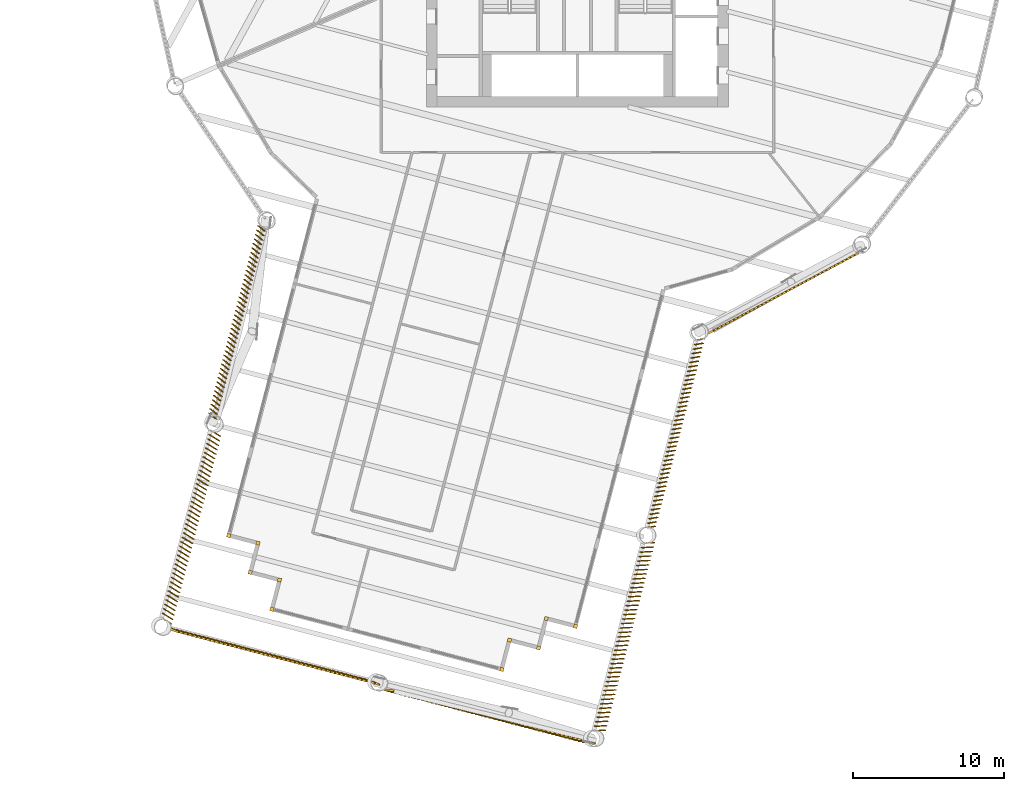
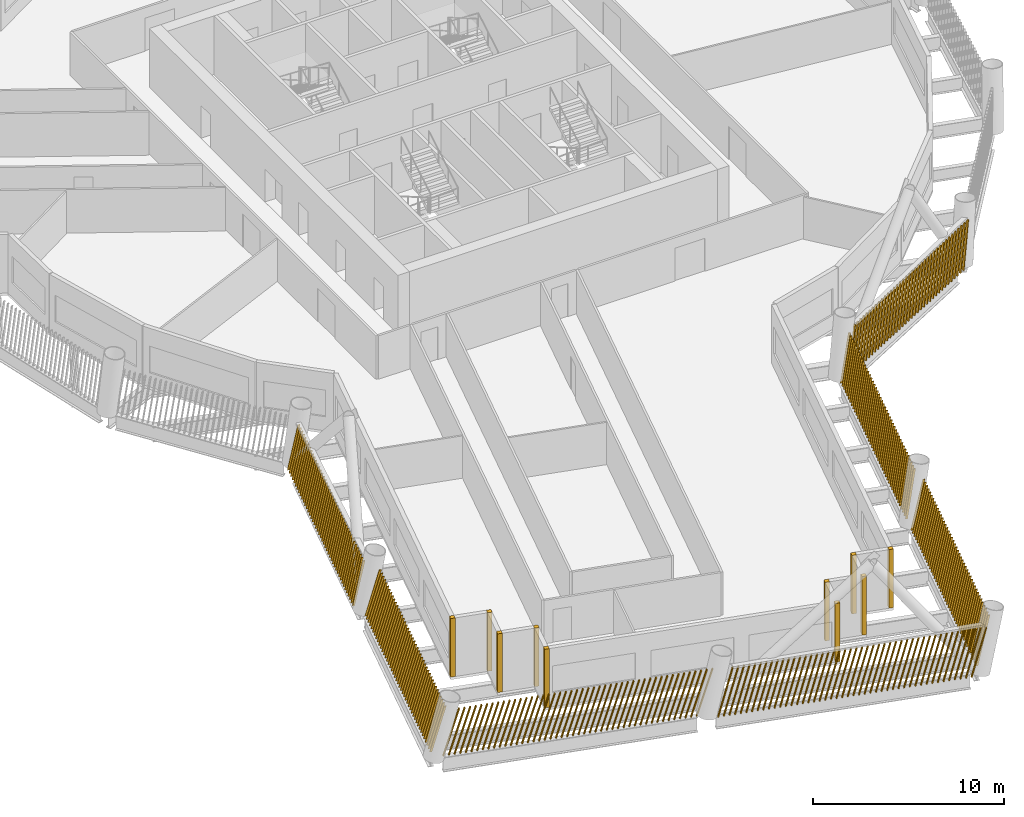
# One storey, part 20 of 24: 17 shading devices.
"""IFC4 building model written with IfcOpenShell, lengths in metres."""

from ifc_helpers import new_model, si_unit, direction, frame, frame_2d, origin, origin_2d, place, context, subcontext, project, spatial, rectangle, composite_profile, extrude, material, type_object, element, save


model = new_model("IFC4")

# Units and contexts
model_context = context("Model", 3, precision=1e-05, world=origin(), true_north=direction((0.0, 1.0)))
body_context = subcontext(model_context, "Body", "Model", "MODEL_VIEW")
ifc_project = project(units=[si_unit("LENGTHUNIT", "METRE"), si_unit("AREAUNIT", "SQUARE_METRE"), si_unit("VOLUMEUNIT", "CUBIC_METRE"), si_unit("PLANEANGLEUNIT", "RADIAN"), si_unit("MASSUNIT", "GRAM", prefix="KILO")], contexts=[model_context])

# Site, building, storey
site_placement = place(None, origin())
site = spatial("IfcSite", under=ifc_project, at=site_placement, CompositionType="ELEMENT")
building_placement = place(site_placement, origin())
building = spatial("IfcBuilding", under=site, at=building_placement, Name="Tarsis Ring Headquarters", CompositionType="ELEMENT")
storey_placement = place(building_placement, frame((0.0, 0.0, 163.199951171875)))
storey = spatial("IfcBuildingStorey", under=building, at=storey_placement, Name="L37", CompositionType="ELEMENT", Elevation=163.199951171875)

# Shading devices
ifc_material = material(Name="Terracotta baguette", Category="masonry")
shading_device_type_1 = type_object("IfcShadingDeviceType", Name="Terracotta baguette screen", PredefinedType="USERDEFINED", material=ifc_material)
shading_device_1_placement = place(storey_placement, frame((-21.133544921875, -20.824951171875, 0.0), z_axis=(0.0, 0.0, 1.0), x_axis=(-0.253070183738, -0.967453213995, 0.0)))
element("IfcShadingDevice", 1, at=shading_device_1_placement, inside=storey, type_object=shading_device_type_1, Name="Baguette screen L37-01", ObjectType="Terracotta baguette screen", PredefinedType="USERDEFINED", context=body_context, shape_type="SweptSolid", body=[
    extrude(composite_profile([rectangle(XDim=0.06005859375, YDim=0.1201171875, at=frame_2d((0.030029296875, 0.0))), rectangle(XDim=0.06005859375, YDim=0.1201171875, at=frame_2d((0.335693359375, 0.0))), rectangle(XDim=0.06005859375, YDim=0.1201171875, at=frame_2d((0.6416015625, 0.0))), rectangle(XDim=0.06005859375, YDim=0.1201171875, at=frame_2d((0.947265625, 0.0))), rectangle(XDim=0.06005859375, YDim=0.1201171875, at=frame_2d((1.253173828125, 0.0))), rectangle(XDim=0.06005859375, YDim=0.1201171875, at=frame_2d((1.558837890625, 0.0))), rectangle(XDim=0.06005859375, YDim=0.1201171875, at=frame_2d((1.864501953125, 0.0))), rectangle(XDim=0.06005859375, YDim=0.1201171875, at=frame_2d((2.17041015625, 0.0))), rectangle(XDim=0.06005859375, YDim=0.1201171875, at=frame_2d((2.47607421875, 0.0))), rectangle(XDim=0.06005859375, YDim=0.1201171875, at=frame_2d((2.781982421875, 0.0))), rectangle(XDim=0.06005859375, YDim=0.1201171875, at=frame_2d((3.087646484375, 0.0))), rectangle(XDim=0.06005859375, YDim=0.1201171875, at=frame_2d((3.393310546875, 0.0))), rectangle(XDim=0.06005859375, YDim=0.1201171875, at=frame_2d((3.69921875, 0.0))), rectangle(XDim=0.06005859375, YDim=0.1201171875, at=frame_2d((4.0048828125, 0.0))), rectangle(XDim=0.06005859375, YDim=0.1201171875, at=frame_2d((4.310791015625, 0.0))), rectangle(XDim=0.06005859375, YDim=0.1201171875, at=frame_2d((4.616455078125, 0.0))), rectangle(XDim=0.06005859375, YDim=0.1201171875, at=frame_2d((4.922119140625, 0.0))), rectangle(XDim=0.06005859375, YDim=0.1201171875, at=frame_2d((5.22802734375, 0.0))), rectangle(XDim=0.06005859375, YDim=0.1201171875, at=frame_2d((5.53369140625, 0.0))), rectangle(XDim=0.06005859375, YDim=0.1201171875, at=frame_2d((5.839599609375, 0.0))), rectangle(XDim=0.06005859375, YDim=0.1201171875, at=frame_2d((6.145263671875, 0.0))), rectangle(XDim=0.06005859375, YDim=0.1201171875, at=frame_2d((6.451171875, 0.0))), rectangle(XDim=0.06005859375, YDim=0.1201171875, at=frame_2d((6.7568359375, 0.0))), rectangle(XDim=0.06005859375, YDim=0.1201171875, at=frame_2d((7.0625, 0.0))), rectangle(XDim=0.06005859375, YDim=0.1201171875, at=frame_2d((7.368408203125, 0.0))), rectangle(XDim=0.06005859375, YDim=0.1201171875, at=frame_2d((7.674072265625, 0.0))), rectangle(XDim=0.06005859375, YDim=0.1201171875, at=frame_2d((7.97998046875, 0.0))), rectangle(XDim=0.06005859375, YDim=0.1201171875, at=frame_2d((8.28564453125, 0.0))), rectangle(XDim=0.06005859375, YDim=0.1201171875, at=frame_2d((8.59130859375, 0.0))), rectangle(XDim=0.06005859375, YDim=0.1201171875, at=frame_2d((8.897216796875, 0.0))), rectangle(XDim=0.06005859375, YDim=0.1201171875, at=frame_2d((9.202880859375, 0.0))), rectangle(XDim=0.06005859375, YDim=0.1201171875, at=frame_2d((9.5087890625, 0.0))), rectangle(XDim=0.06005859375, YDim=0.1201171875, at=frame_2d((9.814453125, 0.0))), rectangle(XDim=0.06005859375, YDim=0.1201171875, at=frame_2d((10.1201171875, 0.0))), rectangle(XDim=0.06005859375, YDim=0.1201171875, at=frame_2d((10.426025390625, 0.0))), rectangle(XDim=0.06005859375, YDim=0.1201171875, at=frame_2d((10.731689453125, 0.0))), rectangle(XDim=0.06005859375, YDim=0.1201171875, at=frame_2d((11.03759765625, 0.0))), rectangle(XDim=0.06005859375, YDim=0.1201171875, at=frame_2d((11.34326171875, 0.0))), rectangle(XDim=0.06005859375, YDim=0.1201171875, at=frame_2d((11.64892578125, 0.0))), rectangle(XDim=0.06005859375, YDim=0.1201171875, at=frame_2d((11.954833984375, 0.0))), rectangle(XDim=0.06005859375, YDim=0.1201171875, at=frame_2d((12.260498046875, 0.0))), rectangle(XDim=0.06005859375, YDim=0.1201171875, at=frame_2d((12.56640625, 0.0))), rectangle(XDim=0.06005859375, YDim=0.1201171875, at=frame_2d((12.8720703125, 0.0)))]), origin(), (0.078095026611, 0.167788049002, 0.982724955128), 3.001708984375),
])
shading_device_2_placement = place(storey_placement, frame((-24.2890625, -34.36962890625, 0.0), z_axis=(0.0, 0.0, 1.0), x_axis=(-0.253084317287, -0.96743490766, 0.0)))
element("IfcShadingDevice", 2, at=shading_device_2_placement, inside=storey, type_object=shading_device_type_1, Name="Baguette screen L37-02", ObjectType="Terracotta baguette screen", PredefinedType="USERDEFINED", context=body_context, shape_type="SweptSolid", body=[
    extrude(composite_profile([rectangle(XDim=0.06005859375, YDim=0.1201171875, at=frame_2d((0.030029296875, 0.0))), rectangle(XDim=0.06005859375, YDim=0.1201171875, at=frame_2d((0.335693359375, 0.0))), rectangle(XDim=0.06005859375, YDim=0.1201171875, at=frame_2d((0.6416015625, 0.0))), rectangle(XDim=0.06005859375, YDim=0.1201171875, at=frame_2d((0.947265625, 0.0))), rectangle(XDim=0.06005859375, YDim=0.1201171875, at=frame_2d((1.253173828125, 0.0))), rectangle(XDim=0.06005859375, YDim=0.1201171875, at=frame_2d((1.558837890625, 0.0))), rectangle(XDim=0.06005859375, YDim=0.1201171875, at=frame_2d((1.864501953125, 0.0))), rectangle(XDim=0.06005859375, YDim=0.1201171875, at=frame_2d((2.17041015625, 0.0))), rectangle(XDim=0.06005859375, YDim=0.1201171875, at=frame_2d((2.47607421875, 0.0))), rectangle(XDim=0.06005859375, YDim=0.1201171875, at=frame_2d((2.781982421875, 0.0))), rectangle(XDim=0.06005859375, YDim=0.1201171875, at=frame_2d((3.087646484375, 0.0))), rectangle(XDim=0.06005859375, YDim=0.1201171875, at=frame_2d((3.393310546875, 0.0))), rectangle(XDim=0.06005859375, YDim=0.1201171875, at=frame_2d((3.69921875, 0.0))), rectangle(XDim=0.06005859375, YDim=0.1201171875, at=frame_2d((4.0048828125, 0.0))), rectangle(XDim=0.06005859375, YDim=0.1201171875, at=frame_2d((4.310791015625, 0.0))), rectangle(XDim=0.06005859375, YDim=0.1201171875, at=frame_2d((4.616455078125, 0.0))), rectangle(XDim=0.06005859375, YDim=0.1201171875, at=frame_2d((4.922119140625, 0.0))), rectangle(XDim=0.06005859375, YDim=0.1201171875, at=frame_2d((5.22802734375, 0.0))), rectangle(XDim=0.06005859375, YDim=0.1201171875, at=frame_2d((5.53369140625, 0.0))), rectangle(XDim=0.06005859375, YDim=0.1201171875, at=frame_2d((5.839599609375, 0.0))), rectangle(XDim=0.06005859375, YDim=0.1201171875, at=frame_2d((6.145263671875, 0.0))), rectangle(XDim=0.06005859375, YDim=0.1201171875, at=frame_2d((6.451171875, 0.0))), rectangle(XDim=0.06005859375, YDim=0.1201171875, at=frame_2d((6.7568359375, 0.0))), rectangle(XDim=0.06005859375, YDim=0.1201171875, at=frame_2d((7.0625, 0.0))), rectangle(XDim=0.06005859375, YDim=0.1201171875, at=frame_2d((7.368408203125, 0.0))), rectangle(XDim=0.06005859375, YDim=0.1201171875, at=frame_2d((7.674072265625, 0.0))), rectangle(XDim=0.06005859375, YDim=0.1201171875, at=frame_2d((7.97998046875, 0.0))), rectangle(XDim=0.06005859375, YDim=0.1201171875, at=frame_2d((8.28564453125, 0.0))), rectangle(XDim=0.06005859375, YDim=0.1201171875, at=frame_2d((8.59130859375, 0.0))), rectangle(XDim=0.06005859375, YDim=0.1201171875, at=frame_2d((8.897216796875, 0.0))), rectangle(XDim=0.06005859375, YDim=0.1201171875, at=frame_2d((9.202880859375, 0.0))), rectangle(XDim=0.06005859375, YDim=0.1201171875, at=frame_2d((9.5087890625, 0.0))), rectangle(XDim=0.06005859375, YDim=0.1201171875, at=frame_2d((9.814453125, 0.0))), rectangle(XDim=0.06005859375, YDim=0.1201171875, at=frame_2d((10.1201171875, 0.0))), rectangle(XDim=0.06005859375, YDim=0.1201171875, at=frame_2d((10.426025390625, 0.0))), rectangle(XDim=0.06005859375, YDim=0.1201171875, at=frame_2d((10.731689453125, 0.0))), rectangle(XDim=0.06005859375, YDim=0.1201171875, at=frame_2d((11.03759765625, 0.0))), rectangle(XDim=0.06005859375, YDim=0.1201171875, at=frame_2d((11.34326171875, 0.0))), rectangle(XDim=0.06005859375, YDim=0.1201171875, at=frame_2d((11.64892578125, 0.0))), rectangle(XDim=0.06005859375, YDim=0.1201171875, at=frame_2d((11.954833984375, 0.0))), rectangle(XDim=0.06005859375, YDim=0.1201171875, at=frame_2d((12.260498046875, 0.0))), rectangle(XDim=0.06005859375, YDim=0.1201171875, at=frame_2d((12.56640625, 0.0))), rectangle(XDim=0.06005859375, YDim=0.1201171875, at=frame_2d((12.8720703125, 0.0)))]), origin(), (0.074473497325, 0.237067585386, 0.968634429574), 3.04541015625),
])
shading_device_3_placement = place(storey_placement, frame((-27.197265625, -47.4619140625, 0.0), z_axis=(0.0, 0.0, 1.0), x_axis=(0.967448031844, -0.25309155241, 0.0)))
element("IfcShadingDevice", 3, at=shading_device_3_placement, inside=storey, type_object=shading_device_type_1, Name="Baguette screen L37-03", ObjectType="Terracotta baguette screen", PredefinedType="USERDEFINED", context=body_context, shape_type="SweptSolid", body=[
    extrude(composite_profile([rectangle(XDim=0.06005859375, YDim=0.1201171875, at=frame_2d((0.030029296875, 0.0))), rectangle(XDim=0.06005859375, YDim=0.1201171875, at=frame_2d((0.33544921875, 0.0))), rectangle(XDim=0.06005859375, YDim=0.1201171875, at=frame_2d((0.640625, 0.0))), rectangle(XDim=0.06005859375, YDim=0.1201171875, at=frame_2d((0.946044921875, 0.0))), rectangle(XDim=0.06005859375, YDim=0.1201171875, at=frame_2d((1.25146484375, 0.0))), rectangle(XDim=0.06005859375, YDim=0.1201171875, at=frame_2d((1.556640625, 0.0))), rectangle(XDim=0.06005859375, YDim=0.1201171875, at=frame_2d((1.862060546875, 0.0))), rectangle(XDim=0.06005859375, YDim=0.1201171875, at=frame_2d((2.16748046875, 0.0))), rectangle(XDim=0.06005859375, YDim=0.1201171875, at=frame_2d((2.47265625, 0.0))), rectangle(XDim=0.06005859375, YDim=0.1201171875, at=frame_2d((2.778076171875, 0.0))), rectangle(XDim=0.06005859375, YDim=0.1201171875, at=frame_2d((3.08349609375, 0.0))), rectangle(XDim=0.06005859375, YDim=0.1201171875, at=frame_2d((3.388671875, 0.0))), rectangle(XDim=0.06005859375, YDim=0.1201171875, at=frame_2d((3.694091796875, 0.0))), rectangle(XDim=0.06005859375, YDim=0.1201171875, at=frame_2d((3.99951171875, 0.0))), rectangle(XDim=0.06005859375, YDim=0.1201171875, at=frame_2d((4.3046875, 0.0))), rectangle(XDim=0.06005859375, YDim=0.1201171875, at=frame_2d((4.610107421875, 0.0))), rectangle(XDim=0.06005859375, YDim=0.1201171875, at=frame_2d((4.91552734375, 0.0))), rectangle(XDim=0.06005859375, YDim=0.1201171875, at=frame_2d((5.220703125, 0.0))), rectangle(XDim=0.06005859375, YDim=0.1201171875, at=frame_2d((5.526123046875, 0.0))), rectangle(XDim=0.06005859375, YDim=0.1201171875, at=frame_2d((5.83154296875, 0.0))), rectangle(XDim=0.06005859375, YDim=0.1201171875, at=frame_2d((6.13671875, 0.0))), rectangle(XDim=0.06005859375, YDim=0.1201171875, at=frame_2d((6.442138671875, 0.0))), rectangle(XDim=0.06005859375, YDim=0.1201171875, at=frame_2d((6.74755859375, 0.0))), rectangle(XDim=0.06005859375, YDim=0.1201171875, at=frame_2d((7.052734375, 0.0))), rectangle(XDim=0.06005859375, YDim=0.1201171875, at=frame_2d((7.358154296875, 0.0))), rectangle(XDim=0.06005859375, YDim=0.1201171875, at=frame_2d((7.66357421875, 0.0))), rectangle(XDim=0.06005859375, YDim=0.1201171875, at=frame_2d((7.96875, 0.0))), rectangle(XDim=0.06005859375, YDim=0.1201171875, at=frame_2d((8.274169921875, 0.0))), rectangle(XDim=0.06005859375, YDim=0.1201171875, at=frame_2d((8.57958984375, 0.0))), rectangle(XDim=0.06005859375, YDim=0.1201171875, at=frame_2d((8.884765625, 0.0))), rectangle(XDim=0.06005859375, YDim=0.1201171875, at=frame_2d((9.190185546875, 0.0))), rectangle(XDim=0.06005859375, YDim=0.1201171875, at=frame_2d((9.49560546875, 0.0))), rectangle(XDim=0.06005859375, YDim=0.1201171875, at=frame_2d((9.80078125, 0.0))), rectangle(XDim=0.06005859375, YDim=0.1201171875, at=frame_2d((10.106201171875, 0.0))), rectangle(XDim=0.06005859375, YDim=0.1201171875, at=frame_2d((10.41162109375, 0.0))), rectangle(XDim=0.06005859375, YDim=0.1201171875, at=frame_2d((10.716796875, 0.0))), rectangle(XDim=0.06005859375, YDim=0.1201171875, at=frame_2d((11.022216796875, 0.0))), rectangle(XDim=0.06005859375, YDim=0.1201171875, at=frame_2d((11.32763671875, 0.0))), rectangle(XDim=0.06005859375, YDim=0.1201171875, at=frame_2d((11.6328125, 0.0))), rectangle(XDim=0.06005859375, YDim=0.1201171875, at=frame_2d((11.938232421875, 0.0))), rectangle(XDim=0.06005859375, YDim=0.1201171875, at=frame_2d((12.24365234375, 0.0))), rectangle(XDim=0.06005859375, YDim=0.1201171875, at=frame_2d((12.548828125, 0.0))), rectangle(XDim=0.06005859375, YDim=0.1201171875, at=frame_2d((12.854248046875, 0.0))), rectangle(XDim=0.06005859375, YDim=0.1201171875, at=frame_2d((13.15966796875, 0.0))), rectangle(XDim=0.06005859375, YDim=0.1201171875, at=frame_2d((13.46484375, 0.0))), rectangle(XDim=0.06005859375, YDim=0.1201171875, at=frame_2d((13.770263671875, 0.0)))]), origin(), (0.270750594907, -0.035777965832, 0.961984434655), 3.06640625),
])
shading_device_4_placement = place(storey_placement, frame((-12.973876953125, -51.5703125, 0.0), z_axis=(0.0, 0.0, 1.0), x_axis=(0.967447455948, -0.253096030005, 0.0)))
element("IfcShadingDevice", 4, at=shading_device_4_placement, inside=storey, type_object=shading_device_type_1, Name="Baguette screen L37-04", ObjectType="Terracotta baguette screen", PredefinedType="USERDEFINED", context=body_context, shape_type="SweptSolid", body=[
    extrude(composite_profile([rectangle(XDim=0.06005859375, YDim=0.1201171875, at=frame_2d((0.030029296875, 0.0))), rectangle(XDim=0.06005859375, YDim=0.1201171875, at=frame_2d((0.33544921875, 0.0))), rectangle(XDim=0.06005859375, YDim=0.1201171875, at=frame_2d((0.640625, 0.0))), rectangle(XDim=0.06005859375, YDim=0.1201171875, at=frame_2d((0.946044921875, 0.0))), rectangle(XDim=0.06005859375, YDim=0.1201171875, at=frame_2d((1.25146484375, 0.0))), rectangle(XDim=0.06005859375, YDim=0.1201171875, at=frame_2d((1.556640625, 0.0))), rectangle(XDim=0.06005859375, YDim=0.1201171875, at=frame_2d((1.862060546875, 0.0))), rectangle(XDim=0.06005859375, YDim=0.1201171875, at=frame_2d((2.16748046875, 0.0))), rectangle(XDim=0.06005859375, YDim=0.1201171875, at=frame_2d((2.47265625, 0.0))), rectangle(XDim=0.06005859375, YDim=0.1201171875, at=frame_2d((2.778076171875, 0.0))), rectangle(XDim=0.06005859375, YDim=0.1201171875, at=frame_2d((3.08349609375, 0.0))), rectangle(XDim=0.06005859375, YDim=0.1201171875, at=frame_2d((3.388671875, 0.0))), rectangle(XDim=0.06005859375, YDim=0.1201171875, at=frame_2d((3.694091796875, 0.0))), rectangle(XDim=0.06005859375, YDim=0.1201171875, at=frame_2d((3.99951171875, 0.0))), rectangle(XDim=0.06005859375, YDim=0.1201171875, at=frame_2d((4.3046875, 0.0))), rectangle(XDim=0.06005859375, YDim=0.1201171875, at=frame_2d((4.610107421875, 0.0))), rectangle(XDim=0.06005859375, YDim=0.1201171875, at=frame_2d((4.91552734375, 0.0))), rectangle(XDim=0.06005859375, YDim=0.1201171875, at=frame_2d((5.220703125, 0.0))), rectangle(XDim=0.06005859375, YDim=0.1201171875, at=frame_2d((5.526123046875, 0.0))), rectangle(XDim=0.06005859375, YDim=0.1201171875, at=frame_2d((5.83154296875, 0.0))), rectangle(XDim=0.06005859375, YDim=0.1201171875, at=frame_2d((6.13671875, 0.0))), rectangle(XDim=0.06005859375, YDim=0.1201171875, at=frame_2d((6.442138671875, 0.0))), rectangle(XDim=0.06005859375, YDim=0.1201171875, at=frame_2d((6.74755859375, 0.0))), rectangle(XDim=0.06005859375, YDim=0.1201171875, at=frame_2d((7.052734375, 0.0))), rectangle(XDim=0.06005859375, YDim=0.1201171875, at=frame_2d((7.358154296875, 0.0))), rectangle(XDim=0.06005859375, YDim=0.1201171875, at=frame_2d((7.66357421875, 0.0))), rectangle(XDim=0.06005859375, YDim=0.1201171875, at=frame_2d((7.96875, 0.0))), rectangle(XDim=0.06005859375, YDim=0.1201171875, at=frame_2d((8.274169921875, 0.0))), rectangle(XDim=0.06005859375, YDim=0.1201171875, at=frame_2d((8.57958984375, 0.0))), rectangle(XDim=0.06005859375, YDim=0.1201171875, at=frame_2d((8.884765625, 0.0))), rectangle(XDim=0.06005859375, YDim=0.1201171875, at=frame_2d((9.190185546875, 0.0))), rectangle(XDim=0.06005859375, YDim=0.1201171875, at=frame_2d((9.49560546875, 0.0))), rectangle(XDim=0.06005859375, YDim=0.1201171875, at=frame_2d((9.80078125, 0.0))), rectangle(XDim=0.06005859375, YDim=0.1201171875, at=frame_2d((10.106201171875, 0.0))), rectangle(XDim=0.06005859375, YDim=0.1201171875, at=frame_2d((10.41162109375, 0.0))), rectangle(XDim=0.06005859375, YDim=0.1201171875, at=frame_2d((10.716796875, 0.0))), rectangle(XDim=0.06005859375, YDim=0.1201171875, at=frame_2d((11.022216796875, 0.0))), rectangle(XDim=0.06005859375, YDim=0.1201171875, at=frame_2d((11.32763671875, 0.0))), rectangle(XDim=0.06005859375, YDim=0.1201171875, at=frame_2d((11.6328125, 0.0))), rectangle(XDim=0.06005859375, YDim=0.1201171875, at=frame_2d((11.938232421875, 0.0))), rectangle(XDim=0.06005859375, YDim=0.1201171875, at=frame_2d((12.24365234375, 0.0))), rectangle(XDim=0.06005859375, YDim=0.1201171875, at=frame_2d((12.548828125, 0.0))), rectangle(XDim=0.06005859375, YDim=0.1201171875, at=frame_2d((12.854248046875, 0.0))), rectangle(XDim=0.06005859375, YDim=0.1201171875, at=frame_2d((13.15966796875, 0.0))), rectangle(XDim=0.06005859375, YDim=0.1201171875, at=frame_2d((13.46484375, 0.0))), rectangle(XDim=0.06005859375, YDim=0.1201171875, at=frame_2d((13.770263671875, 0.0)))]), origin(), (0.27193382144, 0.040026192208, 0.961483177541), 3.068115234375),
])
shading_device_5_placement = place(storey_placement, frame((1.08203125, -54.343017578125, 0.0), z_axis=(0.0, 0.0, 1.0), x_axis=(0.253084317287, 0.96743490766, 0.0)))
element("IfcShadingDevice", 5, at=shading_device_5_placement, inside=storey, type_object=shading_device_type_1, Name="Baguette screen L37-05", ObjectType="Terracotta baguette screen", PredefinedType="USERDEFINED", context=body_context, shape_type="SweptSolid", body=[
    extrude(composite_profile([rectangle(XDim=0.06005859375, YDim=0.1201171875, at=frame_2d((0.030029296875, 0.0))), rectangle(XDim=0.06005859375, YDim=0.1201171875, at=frame_2d((0.335693359375, 0.0))), rectangle(XDim=0.06005859375, YDim=0.1201171875, at=frame_2d((0.6416015625, 0.0))), rectangle(XDim=0.06005859375, YDim=0.1201171875, at=frame_2d((0.947265625, 0.0))), rectangle(XDim=0.06005859375, YDim=0.1201171875, at=frame_2d((1.253173828125, 0.0))), rectangle(XDim=0.06005859375, YDim=0.1201171875, at=frame_2d((1.558837890625, 0.0))), rectangle(XDim=0.06005859375, YDim=0.1201171875, at=frame_2d((1.864501953125, 0.0))), rectangle(XDim=0.06005859375, YDim=0.1201171875, at=frame_2d((2.17041015625, 0.0))), rectangle(XDim=0.06005859375, YDim=0.1201171875, at=frame_2d((2.47607421875, 0.0))), rectangle(XDim=0.06005859375, YDim=0.1201171875, at=frame_2d((2.781982421875, 0.0))), rectangle(XDim=0.06005859375, YDim=0.1201171875, at=frame_2d((3.087646484375, 0.0))), rectangle(XDim=0.06005859375, YDim=0.1201171875, at=frame_2d((3.393310546875, 0.0))), rectangle(XDim=0.06005859375, YDim=0.1201171875, at=frame_2d((3.69921875, 0.0))), rectangle(XDim=0.06005859375, YDim=0.1201171875, at=frame_2d((4.0048828125, 0.0))), rectangle(XDim=0.06005859375, YDim=0.1201171875, at=frame_2d((4.310791015625, 0.0))), rectangle(XDim=0.06005859375, YDim=0.1201171875, at=frame_2d((4.616455078125, 0.0))), rectangle(XDim=0.06005859375, YDim=0.1201171875, at=frame_2d((4.922119140625, 0.0))), rectangle(XDim=0.06005859375, YDim=0.1201171875, at=frame_2d((5.22802734375, 0.0))), rectangle(XDim=0.06005859375, YDim=0.1201171875, at=frame_2d((5.53369140625, 0.0))), rectangle(XDim=0.06005859375, YDim=0.1201171875, at=frame_2d((5.839599609375, 0.0))), rectangle(XDim=0.06005859375, YDim=0.1201171875, at=frame_2d((6.145263671875, 0.0))), rectangle(XDim=0.06005859375, YDim=0.1201171875, at=frame_2d((6.451171875, 0.0))), rectangle(XDim=0.06005859375, YDim=0.1201171875, at=frame_2d((6.7568359375, 0.0))), rectangle(XDim=0.06005859375, YDim=0.1201171875, at=frame_2d((7.0625, 0.0))), rectangle(XDim=0.06005859375, YDim=0.1201171875, at=frame_2d((7.368408203125, 0.0))), rectangle(XDim=0.06005859375, YDim=0.1201171875, at=frame_2d((7.674072265625, 0.0))), rectangle(XDim=0.06005859375, YDim=0.1201171875, at=frame_2d((7.97998046875, 0.0))), rectangle(XDim=0.06005859375, YDim=0.1201171875, at=frame_2d((8.28564453125, 0.0))), rectangle(XDim=0.06005859375, YDim=0.1201171875, at=frame_2d((8.59130859375, 0.0))), rectangle(XDim=0.06005859375, YDim=0.1201171875, at=frame_2d((8.897216796875, 0.0))), rectangle(XDim=0.06005859375, YDim=0.1201171875, at=frame_2d((9.202880859375, 0.0))), rectangle(XDim=0.06005859375, YDim=0.1201171875, at=frame_2d((9.5087890625, 0.0))), rectangle(XDim=0.06005859375, YDim=0.1201171875, at=frame_2d((9.814453125, 0.0))), rectangle(XDim=0.06005859375, YDim=0.1201171875, at=frame_2d((10.1201171875, 0.0))), rectangle(XDim=0.06005859375, YDim=0.1201171875, at=frame_2d((10.426025390625, 0.0))), rectangle(XDim=0.06005859375, YDim=0.1201171875, at=frame_2d((10.731689453125, 0.0))), rectangle(XDim=0.06005859375, YDim=0.1201171875, at=frame_2d((11.03759765625, 0.0))), rectangle(XDim=0.06005859375, YDim=0.1201171875, at=frame_2d((11.34326171875, 0.0))), rectangle(XDim=0.06005859375, YDim=0.1201171875, at=frame_2d((11.64892578125, 0.0))), rectangle(XDim=0.06005859375, YDim=0.1201171875, at=frame_2d((11.954833984375, 0.0))), rectangle(XDim=0.06005859375, YDim=0.1201171875, at=frame_2d((12.260498046875, 0.0))), rectangle(XDim=0.06005859375, YDim=0.1201171875, at=frame_2d((12.56640625, 0.0))), rectangle(XDim=0.06005859375, YDim=0.1201171875, at=frame_2d((12.8720703125, 0.0)))]), origin(), (0.078189647432, -0.235867798246, 0.96863448255), 3.04541015625),
])
shading_device_6_placement = place(storey_placement, frame((4.600341796875, -40.893310546875, 0.0), z_axis=(0.0, 0.0, 1.0), x_axis=(0.253084317287, 0.96743490766, 0.0)))
element("IfcShadingDevice", 6, at=shading_device_6_placement, inside=storey, type_object=shading_device_type_1, Name="Baguette screen L37-06", ObjectType="Terracotta baguette screen", PredefinedType="USERDEFINED", context=body_context, shape_type="SweptSolid", body=[
    extrude(composite_profile([rectangle(XDim=0.06005859375, YDim=0.1201171875, at=frame_2d((0.030029296875, 0.0))), rectangle(XDim=0.06005859375, YDim=0.1201171875, at=frame_2d((0.335693359375, 0.0))), rectangle(XDim=0.06005859375, YDim=0.1201171875, at=frame_2d((0.6416015625, 0.0))), rectangle(XDim=0.06005859375, YDim=0.1201171875, at=frame_2d((0.947265625, 0.0))), rectangle(XDim=0.06005859375, YDim=0.1201171875, at=frame_2d((1.253173828125, 0.0))), rectangle(XDim=0.06005859375, YDim=0.1201171875, at=frame_2d((1.558837890625, 0.0))), rectangle(XDim=0.06005859375, YDim=0.1201171875, at=frame_2d((1.864501953125, 0.0))), rectangle(XDim=0.06005859375, YDim=0.1201171875, at=frame_2d((2.17041015625, 0.0))), rectangle(XDim=0.06005859375, YDim=0.1201171875, at=frame_2d((2.47607421875, 0.0))), rectangle(XDim=0.06005859375, YDim=0.1201171875, at=frame_2d((2.781982421875, 0.0))), rectangle(XDim=0.06005859375, YDim=0.1201171875, at=frame_2d((3.087646484375, 0.0))), rectangle(XDim=0.06005859375, YDim=0.1201171875, at=frame_2d((3.393310546875, 0.0))), rectangle(XDim=0.06005859375, YDim=0.1201171875, at=frame_2d((3.69921875, 0.0))), rectangle(XDim=0.06005859375, YDim=0.1201171875, at=frame_2d((4.0048828125, 0.0))), rectangle(XDim=0.06005859375, YDim=0.1201171875, at=frame_2d((4.310791015625, 0.0))), rectangle(XDim=0.06005859375, YDim=0.1201171875, at=frame_2d((4.616455078125, 0.0))), rectangle(XDim=0.06005859375, YDim=0.1201171875, at=frame_2d((4.922119140625, 0.0))), rectangle(XDim=0.06005859375, YDim=0.1201171875, at=frame_2d((5.22802734375, 0.0))), rectangle(XDim=0.06005859375, YDim=0.1201171875, at=frame_2d((5.53369140625, 0.0))), rectangle(XDim=0.06005859375, YDim=0.1201171875, at=frame_2d((5.839599609375, 0.0))), rectangle(XDim=0.06005859375, YDim=0.1201171875, at=frame_2d((6.145263671875, 0.0))), rectangle(XDim=0.06005859375, YDim=0.1201171875, at=frame_2d((6.451171875, 0.0))), rectangle(XDim=0.06005859375, YDim=0.1201171875, at=frame_2d((6.7568359375, 0.0))), rectangle(XDim=0.06005859375, YDim=0.1201171875, at=frame_2d((7.0625, 0.0))), rectangle(XDim=0.06005859375, YDim=0.1201171875, at=frame_2d((7.368408203125, 0.0))), rectangle(XDim=0.06005859375, YDim=0.1201171875, at=frame_2d((7.674072265625, 0.0))), rectangle(XDim=0.06005859375, YDim=0.1201171875, at=frame_2d((7.97998046875, 0.0))), rectangle(XDim=0.06005859375, YDim=0.1201171875, at=frame_2d((8.28564453125, 0.0))), rectangle(XDim=0.06005859375, YDim=0.1201171875, at=frame_2d((8.59130859375, 0.0))), rectangle(XDim=0.06005859375, YDim=0.1201171875, at=frame_2d((8.897216796875, 0.0))), rectangle(XDim=0.06005859375, YDim=0.1201171875, at=frame_2d((9.202880859375, 0.0))), rectangle(XDim=0.06005859375, YDim=0.1201171875, at=frame_2d((9.5087890625, 0.0))), rectangle(XDim=0.06005859375, YDim=0.1201171875, at=frame_2d((9.814453125, 0.0))), rectangle(XDim=0.06005859375, YDim=0.1201171875, at=frame_2d((10.1201171875, 0.0))), rectangle(XDim=0.06005859375, YDim=0.1201171875, at=frame_2d((10.426025390625, 0.0))), rectangle(XDim=0.06005859375, YDim=0.1201171875, at=frame_2d((10.731689453125, 0.0))), rectangle(XDim=0.06005859375, YDim=0.1201171875, at=frame_2d((11.03759765625, 0.0))), rectangle(XDim=0.06005859375, YDim=0.1201171875, at=frame_2d((11.34326171875, 0.0))), rectangle(XDim=0.06005859375, YDim=0.1201171875, at=frame_2d((11.64892578125, 0.0))), rectangle(XDim=0.06005859375, YDim=0.1201171875, at=frame_2d((11.954833984375, 0.0))), rectangle(XDim=0.06005859375, YDim=0.1201171875, at=frame_2d((12.260498046875, 0.0))), rectangle(XDim=0.06005859375, YDim=0.1201171875, at=frame_2d((12.56640625, 0.0))), rectangle(XDim=0.06005859375, YDim=0.1201171875, at=frame_2d((12.8720703125, 0.0)))]), origin(), (0.078767691636, -0.166580106328, 0.982876756735), 3.00146484375),
])
shading_device_7_placement = place(storey_placement, frame((8.610107421875, -28.022216796875, 0.0), z_axis=(0.0, 0.0, 1.0), x_axis=(0.881779706999, 0.4716440586, 0.0)))
element("IfcShadingDevice", 7, at=shading_device_7_placement, inside=storey, type_object=shading_device_type_1, Name="Baguette screen L37-07", ObjectType="Terracotta baguette screen", PredefinedType="USERDEFINED", context=body_context, shape_type="SweptSolid", body=[
    extrude(composite_profile([rectangle(XDim=0.06005859375, YDim=0.1201171875, at=frame_2d((0.030029296875, 0.0))), rectangle(XDim=0.06005859375, YDim=0.1201171875, at=frame_2d((0.33251953125, 0.0))), rectangle(XDim=0.06005859375, YDim=0.1201171875, at=frame_2d((0.634765625, 0.0))), rectangle(XDim=0.06005859375, YDim=0.1201171875, at=frame_2d((0.937255859375, 0.0))), rectangle(XDim=0.06005859375, YDim=0.1201171875, at=frame_2d((1.239501953125, 0.0))), rectangle(XDim=0.06005859375, YDim=0.1201171875, at=frame_2d((1.5419921875, 0.0))), rectangle(XDim=0.06005859375, YDim=0.1201171875, at=frame_2d((1.844482421875, 0.0))), rectangle(XDim=0.06005859375, YDim=0.1201171875, at=frame_2d((2.146728515625, 0.0))), rectangle(XDim=0.06005859375, YDim=0.1201171875, at=frame_2d((2.44921875, 0.0))), rectangle(XDim=0.06005859375, YDim=0.1201171875, at=frame_2d((2.751708984375, 0.0))), rectangle(XDim=0.06005859375, YDim=0.1201171875, at=frame_2d((3.053955078125, 0.0))), rectangle(XDim=0.06005859375, YDim=0.1201171875, at=frame_2d((3.3564453125, 0.0))), rectangle(XDim=0.06005859375, YDim=0.1201171875, at=frame_2d((3.65869140625, 0.0))), rectangle(XDim=0.06005859375, YDim=0.1201171875, at=frame_2d((3.961181640625, 0.0))), rectangle(XDim=0.06005859375, YDim=0.1201171875, at=frame_2d((4.263671875, 0.0))), rectangle(XDim=0.06005859375, YDim=0.1201171875, at=frame_2d((4.56591796875, 0.0))), rectangle(XDim=0.06005859375, YDim=0.1201171875, at=frame_2d((4.868408203125, 0.0))), rectangle(XDim=0.06005859375, YDim=0.1201171875, at=frame_2d((5.1708984375, 0.0))), rectangle(XDim=0.06005859375, YDim=0.1201171875, at=frame_2d((5.47314453125, 0.0))), rectangle(XDim=0.06005859375, YDim=0.1201171875, at=frame_2d((5.775634765625, 0.0))), rectangle(XDim=0.06005859375, YDim=0.1201171875, at=frame_2d((6.077880859375, 0.0))), rectangle(XDim=0.06005859375, YDim=0.1201171875, at=frame_2d((6.38037109375, 0.0))), rectangle(XDim=0.06005859375, YDim=0.1201171875, at=frame_2d((6.682861328125, 0.0))), rectangle(XDim=0.06005859375, YDim=0.1201171875, at=frame_2d((6.985107421875, 0.0))), rectangle(XDim=0.06005859375, YDim=0.1201171875, at=frame_2d((7.28759765625, 0.0))), rectangle(XDim=0.06005859375, YDim=0.1201171875, at=frame_2d((7.590087890625, 0.0))), rectangle(XDim=0.06005859375, YDim=0.1201171875, at=frame_2d((7.892333984375, 0.0))), rectangle(XDim=0.06005859375, YDim=0.1201171875, at=frame_2d((8.19482421875, 0.0))), rectangle(XDim=0.06005859375, YDim=0.1201171875, at=frame_2d((8.4970703125, 0.0))), rectangle(XDim=0.06005859375, YDim=0.1201171875, at=frame_2d((8.799560546875, 0.0))), rectangle(XDim=0.06005859375, YDim=0.1201171875, at=frame_2d((9.10205078125, 0.0))), rectangle(XDim=0.06005859375, YDim=0.1201171875, at=frame_2d((9.404296875, 0.0))), rectangle(XDim=0.06005859375, YDim=0.1201171875, at=frame_2d((9.706787109375, 0.0))), rectangle(XDim=0.06005859375, YDim=0.1201171875, at=frame_2d((10.00927734375, 0.0))), rectangle(XDim=0.06005859375, YDim=0.1201171875, at=frame_2d((10.3115234375, 0.0))), rectangle(XDim=0.06005859375, YDim=0.1201171875, at=frame_2d((10.614013671875, 0.0))), rectangle(XDim=0.06005859375, YDim=0.1201171875, at=frame_2d((10.916259765625, 0.0))), rectangle(XDim=0.06005859375, YDim=0.1201171875, at=frame_2d((11.21875, 0.0)))]), origin(), (0.151423966216, 0.001189158709, 0.988468192891), 2.984375),
])
shading_device_type_2 = type_object("IfcShadingDeviceType", Name="Terracotta corner baguette 250x250", PredefinedType="USERDEFINED", material=ifc_material)
for number, where, z_axis, x_axis, name in (
    (8, (-23.0986328125, -41.376220703125, 0.0), (0.0, 0.0, 1.0), (-0.253082602519, -0.96744467351, 0.0), "Corner baguette L37-07"),
    (9, (-21.16357421875, -41.88232421875, 0.0), (0.0, 0.0, 1.0), (0.967444717681, -0.253082433668, 0.0), "Corner baguette L37-08"),
    (10, (-21.669921875, -43.817138671875, 0.0), (0.0, 0.0, 1.0), (-0.253082551864, -0.967444686761, 0.0), "Corner baguette L37-09"),
    (11, (-19.73486328125, -44.323486328125, 0.0), (0.0, 0.0, 1.0), (0.967444655841, -0.253082670059, 0.0), "Corner baguette L37-10"),
    (12, (-20.2412109375, -46.25830078125, 0.0), (0.0, 0.0, 1.0), (-0.253082433668, -0.967444717681, 0.0), "Corner baguette L37-11"),
    (13, (-5.00390625, -50.244384765625, 0.0), (0.0, 0.0, 1.0), (0.967444682344, -0.253082568749, 0.0), "Corner baguette L37-12"),
    (14, (-4.497802734375, -48.309326171875, 0.0), (0.0, 0.0, 1.0), (0.253082551864, 0.967444686761, 0.0), "Corner baguette L37-13"),
    (15, (-2.562744140625, -48.815673828125, 0.0), (0.0, 0.0, 1.0), (0.967444717681, -0.253082433668, 0.0), "Corner baguette L37-14"),
    (16, (-2.056640625, -46.880615234375, 0.0), (0.0, 0.0, 1.0), (0.253082433668, 0.967444717681, 0.0), "Corner baguette L37-15"),
    (17, (-0.121826171875, -47.386962890625, 0.0), (0.0, 0.0, 1.0), (0.967444563081, -0.253083024646, 0.0), "Corner baguette L37-16"),
):
    element("IfcShadingDevice", number, at=place(storey_placement, frame(where, z_axis=z_axis, x_axis=x_axis)), inside=storey, type_object=shading_device_type_2, Name=name, ObjectType="Terracotta corner baguette", PredefinedType="USERDEFINED", context=body_context, shape_type="SweptSolid", body=[
        extrude(rectangle(XDim=0.25, YDim=0.25, at=origin_2d()), origin(), (0.0, 0.0, 1.0), 3.739990234375),
    ])

save(model, "model.ifc")
